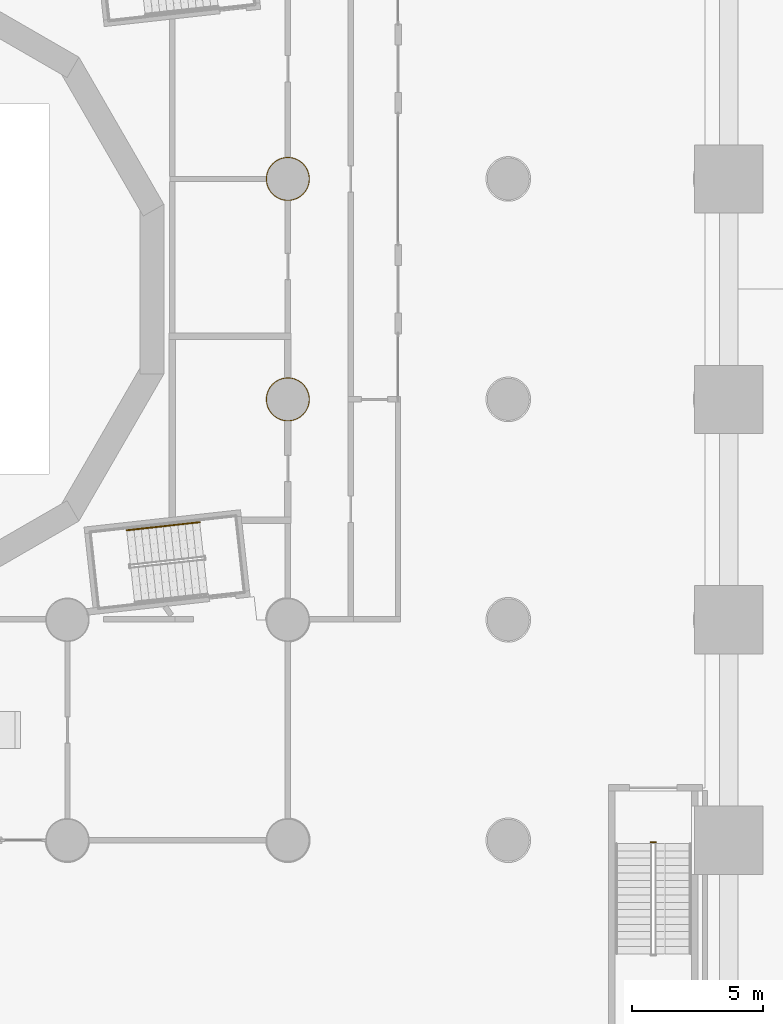
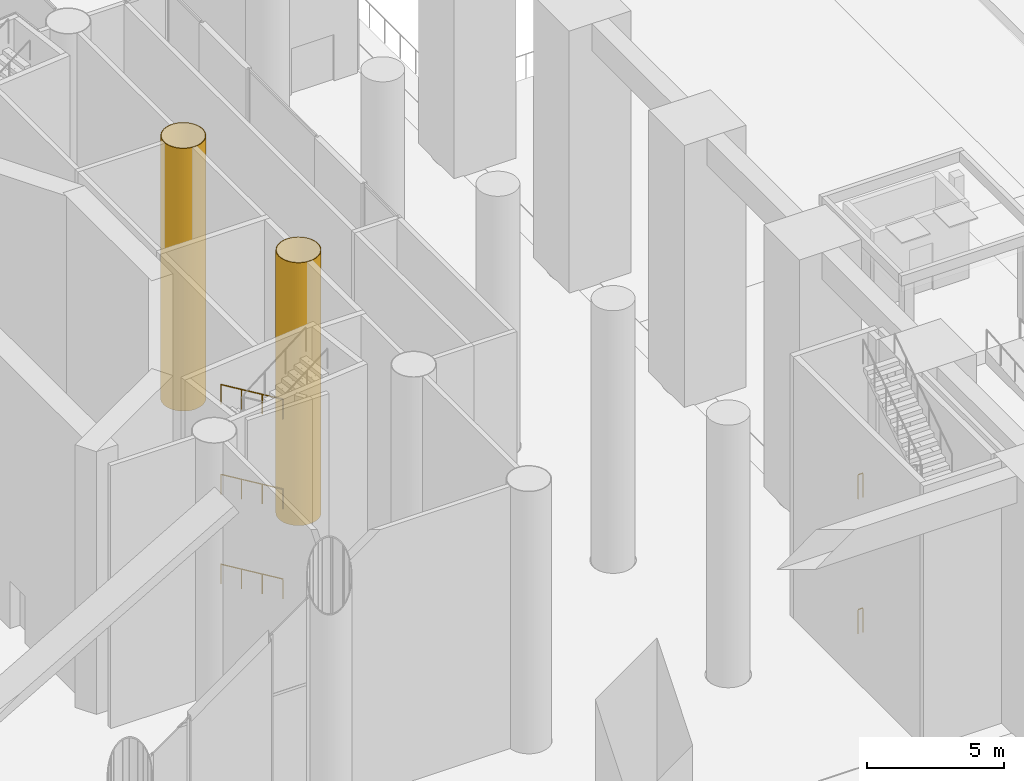
# One storey, part 36 of 52: 5 railings, 2 coverings.
"""IFC4 building model written with IfcOpenShell, lengths in metres."""

from ifc_helpers import new_model, si_unit, direction, frame, origin, origin_2d, place, context, subcontext, project, spatial, polyline, circle, outline, extrude, material, layer, layer_set, type_object, element, save


model = new_model("IFC4")

# Units and contexts
model_context = context("Model", 3, precision=1e-05, world=origin(), true_north=direction((0.0, 1.0)))
body_context = subcontext(model_context, "Body", "Model", "MODEL_VIEW")
ifc_project = project(units=[si_unit("LENGTHUNIT", "METRE"), si_unit("AREAUNIT", "SQUARE_METRE"), si_unit("VOLUMEUNIT", "CUBIC_METRE"), si_unit("PLANEANGLEUNIT", "RADIAN"), si_unit("MASSUNIT", "GRAM", prefix="KILO")], contexts=[model_context])

# Site, building, storey
site_placement = place(None, origin())
site = spatial("IfcSite", under=ifc_project, at=site_placement, CompositionType="ELEMENT")
building_placement = place(site_placement, origin())
building = spatial("IfcBuilding", under=site, at=building_placement, Name="Cantera Rosa Tower", CompositionType="ELEMENT")
storey_placement = place(building_placement, origin())
storey = spatial("IfcBuildingStorey", under=building, at=storey_placement, Name="L00", CompositionType="ELEMENT", Elevation=0.0)

# Coverings
ifc_material_1 = material(Name="Plaster")
ifc_layer = layer(ifc_material_1, 0.030029296875)
ifc_layer_set = layer_set([ifc_layer], Name="Column casing 30")
covering_type = type_object("IfcCoveringType", Name="Column casing 30", PredefinedType="CLADDING", material=ifc_layer_set)
covering_1_placement = place(storey_placement, origin())
element("IfcCovering", 1, at=covering_1_placement, inside=storey, type_object=covering_type, Name="Column casing L00-019", PredefinedType="CLADDING", context=body_context, shape_type="SweptSolid", body=[
    extrude(outline(polyline([(17.6259765625, -4.281494140625), (17.6298828125, -4.199951171875), (17.6259765625, -4.11865234375), (17.614013671875, -4.0380859375), (17.59423828125, -3.958984375), (17.56689453125, -3.88232421875), (17.531982421875, -3.80859375), (17.489990234375, -3.739013671875), (17.441650390625, -3.673583984375), (17.386962890625, -3.613037109375), (17.326416015625, -3.558349609375), (17.260986328125, -3.510009765625), (17.19140625, -3.468017578125), (17.11767578125, -3.43310546875), (17.041015625, -3.40576171875), (16.9619140625, -3.385986328125), (16.88134765625, -3.3740234375), (16.800048828125, -3.3701171875), (16.718505859375, -3.3740234375), (16.63818359375, -3.385986328125), (16.55908203125, -3.40576171875), (16.482421875, -3.43310546875), (16.40869140625, -3.468017578125), (16.3388671875, -3.510009765625), (16.2734375, -3.558349609375), (16.213134765625, -3.613037109375), (16.158447265625, -3.673583984375), (16.10986328125, -3.739013671875), (16.068115234375, -3.80859375), (16.033203125, -3.88232421875), (16.005615234375, -3.958984375), (15.98583984375, -4.0380859375), (15.97412109375, -4.11865234375), (15.969970703125, -4.199951171875), (15.97412109375, -4.281494140625), (15.98583984375, -4.36181640625), (16.005615234375, -4.44091796875), (16.033203125, -4.517578125), (16.068115234375, -4.59130859375), (16.10986328125, -4.6611328125), (16.158447265625, -4.7265625), (16.213134765625, -4.786865234375), (16.2734375, -4.841552734375), (16.3388671875, -4.89013671875), (16.40869140625, -4.931884765625), (16.482421875, -4.966796875), (16.55908203125, -4.994384765625), (16.63818359375, -5.01416015625), (16.718505859375, -5.02587890625), (16.800048828125, -5.030029296875), (16.88134765625, -5.02587890625), (16.9619140625, -5.01416015625), (17.041015625, -4.994384765625), (17.11767578125, -4.966796875), (17.19140625, -4.931884765625), (17.260986328125, -4.89013671875), (17.326416015625, -4.841552734375), (17.386962890625, -4.786865234375), (17.441650390625, -4.7265625), (17.489990234375, -4.6611328125), (17.531982421875, -4.59130859375), (17.56689453125, -4.517578125), (17.59423828125, -4.44091796875), (17.614013671875, -4.36181640625), (17.6259765625, -4.281494140625)]), holes=[polyline([(17.59619140625, -4.12158203125), (17.584716796875, -4.0439453125), (17.565673828125, -3.9677734375), (17.5390625, -3.893798828125), (17.505615234375, -3.822998046875), (17.465087890625, -3.755615234375), (17.41845703125, -3.6923828125), (17.36572265625, -3.63427734375), (17.3076171875, -3.58154296875), (17.244384765625, -3.534912109375), (17.177001953125, -3.494384765625), (17.106201171875, -3.4609375), (17.0322265625, -3.434326171875), (16.9560546875, -3.415283203125), (16.87841796875, -3.40380859375), (16.800048828125, -3.39990234375), (16.7216796875, -3.40380859375), (16.643798828125, -3.415283203125), (16.56787109375, -3.434326171875), (16.493896484375, -3.4609375), (16.4228515625, -3.494384765625), (16.35546875, -3.534912109375), (16.29248046875, -3.58154296875), (16.234375, -3.63427734375), (16.181640625, -3.6923828125), (16.134765625, -3.755615234375), (16.094482421875, -3.822998046875), (16.060791015625, -3.893798828125), (16.034423828125, -3.9677734375), (16.015380859375, -4.0439453125), (16.00390625, -4.12158203125), (16.0, -4.199951171875), (16.00390625, -4.2783203125), (16.015380859375, -4.356201171875), (16.034423828125, -4.43212890625), (16.060791015625, -4.506103515625), (16.094482421875, -4.5771484375), (16.134765625, -4.64453125), (16.181640625, -4.70751953125), (16.234375, -4.765625), (16.29248046875, -4.818359375), (16.35546875, -4.865234375), (16.4228515625, -4.905517578125), (16.493896484375, -4.939208984375), (16.56787109375, -4.965576171875), (16.643798828125, -4.984619140625), (16.7216796875, -4.99609375), (16.800048828125, -5.0), (16.87841796875, -4.99609375), (16.9560546875, -4.984619140625), (17.0322265625, -4.965576171875), (17.106201171875, -4.939208984375), (17.177001953125, -4.905517578125), (17.244384765625, -4.865234375), (17.3076171875, -4.818359375), (17.36572265625, -4.765625), (17.41845703125, -4.70751953125), (17.465087890625, -4.64453125), (17.505615234375, -4.5771484375), (17.5390625, -4.506103515625), (17.565673828125, -4.43212890625), (17.584716796875, -4.356201171875), (17.59619140625, -4.2783203125), (17.60009765625, -4.199951171875), (17.59619140625, -4.12158203125)])]), origin(), (0.0, 0.0, 1.0), 11.699951171875),
])
covering_2_placement = place(storey_placement, origin())
element("IfcCovering", 2, at=covering_2_placement, inside=storey, type_object=covering_type, Name="Column casing L00-020", PredefinedType="CLADDING", context=body_context, shape_type="SweptSolid", body=[
    extrude(outline(polyline([(17.6259765625, 4.11865234375), (17.6298828125, 4.199951171875), (17.6259765625, 4.281494140625), (17.614013671875, 4.36181640625), (17.59423828125, 4.44091796875), (17.56689453125, 4.517578125), (17.531982421875, 4.59130859375), (17.489990234375, 4.6611328125), (17.441650390625, 4.7265625), (17.386962890625, 4.786865234375), (17.326416015625, 4.841552734375), (17.260986328125, 4.89013671875), (17.19140625, 4.931884765625), (17.11767578125, 4.966796875), (17.041015625, 4.994384765625), (16.9619140625, 5.01416015625), (16.88134765625, 5.02587890625), (16.800048828125, 5.030029296875), (16.718505859375, 5.02587890625), (16.63818359375, 5.01416015625), (16.55908203125, 4.994384765625), (16.482421875, 4.966796875), (16.40869140625, 4.931884765625), (16.3388671875, 4.89013671875), (16.2734375, 4.841552734375), (16.213134765625, 4.786865234375), (16.158447265625, 4.7265625), (16.10986328125, 4.6611328125), (16.068115234375, 4.59130859375), (16.033203125, 4.517578125), (16.005615234375, 4.44091796875), (15.98583984375, 4.36181640625), (15.97412109375, 4.281494140625), (15.969970703125, 4.199951171875), (15.97412109375, 4.11865234375), (15.98583984375, 4.0380859375), (16.005615234375, 3.958984375), (16.033203125, 3.88232421875), (16.068115234375, 3.80859375), (16.10986328125, 3.739013671875), (16.158447265625, 3.673583984375), (16.213134765625, 3.613037109375), (16.2734375, 3.558349609375), (16.3388671875, 3.510009765625), (16.40869140625, 3.468017578125), (16.482421875, 3.43310546875), (16.55908203125, 3.40576171875), (16.63818359375, 3.385986328125), (16.718505859375, 3.3740234375), (16.800048828125, 3.3701171875), (16.88134765625, 3.3740234375), (16.9619140625, 3.385986328125), (17.041015625, 3.40576171875), (17.11767578125, 3.43310546875), (17.19140625, 3.468017578125), (17.260986328125, 3.510009765625), (17.326416015625, 3.558349609375), (17.386962890625, 3.613037109375), (17.441650390625, 3.673583984375), (17.489990234375, 3.739013671875), (17.531982421875, 3.80859375), (17.56689453125, 3.88232421875), (17.59423828125, 3.958984375), (17.614013671875, 4.0380859375), (17.6259765625, 4.11865234375)]), holes=[polyline([(17.59619140625, 4.2783203125), (17.584716796875, 4.356201171875), (17.565673828125, 4.43212890625), (17.5390625, 4.506103515625), (17.505615234375, 4.5771484375), (17.465087890625, 4.64453125), (17.41845703125, 4.70751953125), (17.36572265625, 4.765625), (17.3076171875, 4.818359375), (17.244384765625, 4.865234375), (17.177001953125, 4.905517578125), (17.106201171875, 4.939208984375), (17.0322265625, 4.965576171875), (16.9560546875, 4.984619140625), (16.87841796875, 4.99609375), (16.800048828125, 5.0), (16.7216796875, 4.99609375), (16.643798828125, 4.984619140625), (16.56787109375, 4.965576171875), (16.493896484375, 4.939208984375), (16.4228515625, 4.905517578125), (16.35546875, 4.865234375), (16.29248046875, 4.818359375), (16.234375, 4.765625), (16.181640625, 4.70751953125), (16.134765625, 4.64453125), (16.094482421875, 4.5771484375), (16.060791015625, 4.506103515625), (16.034423828125, 4.43212890625), (16.015380859375, 4.356201171875), (16.00390625, 4.2783203125), (16.0, 4.199951171875), (16.00390625, 4.12158203125), (16.015380859375, 4.0439453125), (16.034423828125, 3.9677734375), (16.060791015625, 3.893798828125), (16.094482421875, 3.822998046875), (16.134765625, 3.755615234375), (16.181640625, 3.6923828125), (16.234375, 3.63427734375), (16.29248046875, 3.58154296875), (16.35546875, 3.534912109375), (16.4228515625, 3.494384765625), (16.493896484375, 3.4609375), (16.56787109375, 3.434326171875), (16.643798828125, 3.415283203125), (16.7216796875, 3.40380859375), (16.800048828125, 3.39990234375), (16.87841796875, 3.40380859375), (16.9560546875, 3.415283203125), (17.0322265625, 3.434326171875), (17.106201171875, 3.4609375), (17.177001953125, 3.494384765625), (17.244384765625, 3.534912109375), (17.3076171875, 3.58154296875), (17.36572265625, 3.63427734375), (17.41845703125, 3.6923828125), (17.465087890625, 3.755615234375), (17.505615234375, 3.822998046875), (17.5390625, 3.893798828125), (17.565673828125, 3.9677734375), (17.584716796875, 4.0439453125), (17.59619140625, 4.12158203125), (17.60009765625, 4.199951171875), (17.59619140625, 4.2783203125)])]), origin(), (0.0, 0.0, 1.0), 11.699951171875),
])

# Railings
ifc_material_2 = material(Name="Steel S355J2 (EN 10025-2)", Category="steel")
railing_type_1 = type_object("IfcRailingType", Name="STAIR GUARD 1100", PredefinedType="GUARDRAIL", material=ifc_material_2)
for number, where, name in (
    (3, (30.625, -21.074951171875, 6.0), "L00 ST-SE stair guard 4"),
    (4, (30.625, -21.074951171875, 0.0), "L00 ST-SE stair guard 8"),
):
    element("IfcRailing", number, at=place(storey_placement, frame(where)), inside=storey, type_object=railing_type_1, Name=name, PredefinedType="GUARDRAIL", context=body_context, shape_type="SweptSolid", body=[
        extrude(circle(Radius=0.02392578125, at=origin_2d()), frame((0.0, 0.0, 1.076171875), z_axis=(1.0, 0.0, 0.0), x_axis=(0.0, 1.0, 0.0)), (0.0, 0.0, 1.0), 0.199951171875),
        extrude(circle(Radius=0.02099609375, at=origin_2d()), origin(), (0.0, 0.0, 1.0), 1.052001953125),
        extrude(circle(Radius=0.02099609375, at=origin_2d()), frame((0.199951171875, 0.0, 0.0)), (0.0, 0.0, 1.0), 1.052001953125),
    ])
ifc_material_3 = material(Name="Steel S355J2 (EN 10025-2)", Category="steel")
railing_type_2 = type_object("IfcRailingType", Name="STAIR HANDRAIL 900", PredefinedType="HANDRAIL", material=ifc_material_3)
for number, where, name in (
    (5, (13.439697265625, -8.87890625, 0.181884765625), "L00 ST-14 stair handrail 1"),
    (6, (13.439697265625, -8.87890625, 4.181884765625), "L00 ST-14 stair handrail 3"),
    (7, (13.439697265625, -8.87890625, 8.181884765625), "L00 ST-14 stair handrail 5"),
):
    element("IfcRailing", number, at=place(storey_placement, frame(where)), inside=storey, type_object=railing_type_2, Name=name, PredefinedType="HANDRAIL", context=body_context, shape_type="SweptSolid", body=[
        extrude(circle(Radius=0.02392578125, at=origin_2d()), frame((0.0, 0.0, 0.8759765625), z_axis=(-0.833565741067, -0.09251277965, 0.544618711504), x_axis=(0.110307106705, -0.993897551164, 0.0)), (0.0, 0.0, 1.0), 3.33837890625),
        extrude(circle(Radius=0.02099609375, at=origin_2d()), origin(), (0.0, 0.0, 1.0), 0.851806640625),
        extrude(circle(Radius=0.02099609375, at=origin_2d()), frame((-0.927490234375, -0.10302734375, 0.60595703125)), (0.0, 0.0, 1.0), 0.851806640625),
        extrude(circle(Radius=0.02099609375, at=origin_2d()), frame((-1.855224609375, -0.205810546875, 1.212158203125)), (0.0, 0.0, 1.0), 0.851806640625),
        extrude(circle(Radius=0.02099609375, at=origin_2d()), frame((-2.78271484375, -0.308837890625, 1.818115234375)), (0.0, 0.0, 1.0), 0.851806640625),
    ])

save(model, "model.ifc")
